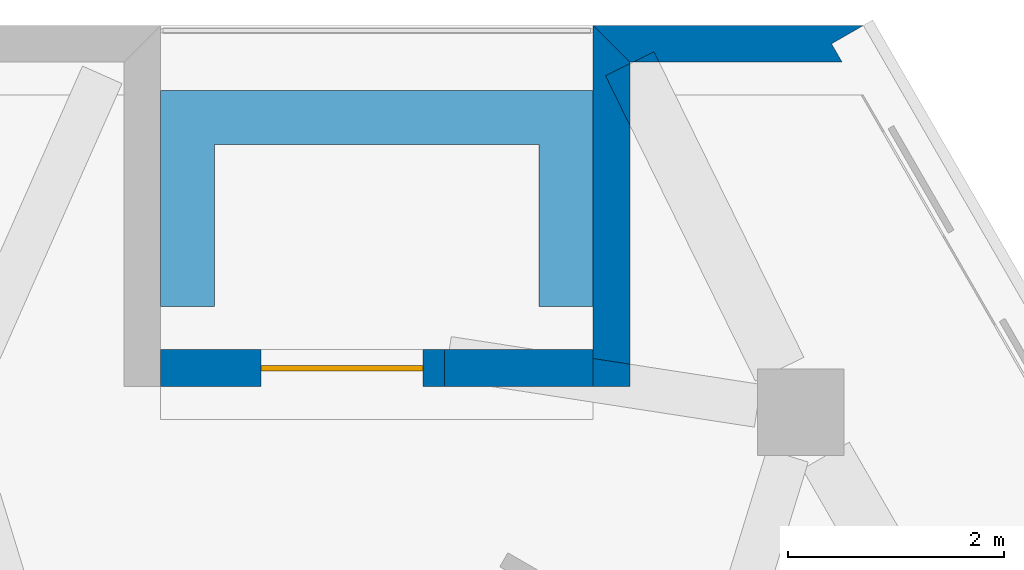
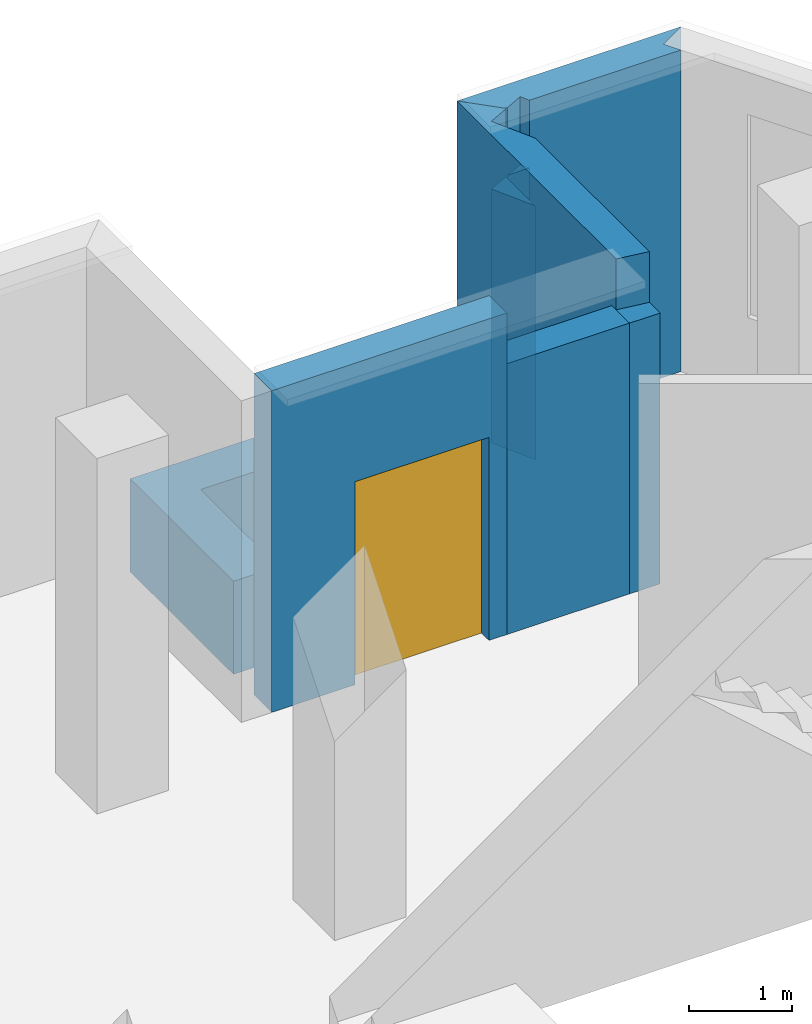
# One storey, part 7 of 9: 8 walls, 1 door, 1 opening.
"""IFC4 building model written with IfcOpenShell, lengths in metres."""

from ifc_helpers import new_model, si_unit, direction, frame, frame_2d, origin, place, context, subcontext, project, spatial, polyline, rectangle, outline, extrude, material, layer, layer_set, type_object, element, fill, save


model = new_model("IFC4")

# Units and contexts
model_context = context("Model", 3, precision=1e-05, world=origin(), true_north=direction((0.0, 1.0)))
body_context = subcontext(model_context, "Body", "Model", "MODEL_VIEW")
ifc_project = project(units=[si_unit("LENGTHUNIT", "METRE"), si_unit("AREAUNIT", "SQUARE_METRE"), si_unit("VOLUMEUNIT", "CUBIC_METRE"), si_unit("PLANEANGLEUNIT", "RADIAN"), si_unit("MASSUNIT", "GRAM", prefix="KILO")], contexts=[model_context])

# Site, building, storey
site_placement = place(None, origin())
site = spatial("IfcSite", under=ifc_project, at=site_placement, CompositionType="ELEMENT")
building_placement = place(site_placement, origin())
building = spatial("IfcBuilding", under=site, at=building_placement, Name="Fogline Exchange Tower", CompositionType="ELEMENT")
storey_placement = place(building_placement, frame((0.0, 0.0, 287.699951171875)))
storey = spatial("IfcBuildingStorey", under=building, at=storey_placement, Name="L65", CompositionType="ELEMENT", Elevation=287.699951171875)

# Walls
ifc_material_1 = material(Name="Brick masonry", Category="masonry")
ifc_layer_1 = layer(ifc_material_1, 0.340087890625)
ifc_layer_set_1 = layer_set([ifc_layer_1], Name="FW1")
wall_type_1 = type_object("IfcWallType", Name="FW1", PredefinedType="SOLIDWALL", material=ifc_layer_set_1)
wall_1_placement = place(storey_placement, origin())
element("IfcWall", 1, at=wall_1_placement, inside=storey, type_object=wall_type_1, Name="Brick wall L65 N-c1", PredefinedType="SOLIDWALL", context=body_context, shape_type="SweptSolid", body=[
    extrude(outline(polyline([(2.368408203125, 43.696044921875), (2.564453125, 43.792236328125), (2.611572265625, 43.696044921875), (2.368408203125, 43.696044921875)])), origin(), (0.0, 0.0, 1.0), 3.0),
])
wall_2_placement = place(storey_placement, origin())
element("IfcWall", 2, at=wall_2_placement, inside=storey, type_object=wall_type_1, Name="Brick wall L65 N-c1", PredefinedType="SOLIDWALL", context=body_context, shape_type="SweptSolid", body=[
    extrude(outline(polyline([(4.5009765625, 44.037353515625), (4.501220703125, 44.03662109375), (4.206298828125, 43.866455078125), (4.3046875, 43.696044921875), (2.611572265625, 43.696044921875), (2.564453125, 43.792236328125), (2.368408203125, 43.696044921875), (2.33984375, 43.696044921875), (1.998779296875, 44.036865234375), (1.9990234375, 44.037353515625), (4.5009765625, 44.037353515625)])), origin(), (0.0, 0.0, 1.0), 3.800048828125),
])
wall_3_placement = place(storey_placement, origin())
element("IfcWall", 3, at=wall_3_placement, inside=storey, type_object=wall_type_1, Name="Brick wall L65 N-s1", PredefinedType="SOLIDWALL", context=body_context, shape_type="SweptSolid", body=[
    extrude(outline(polyline([(2.340576171875, 43.11328125), (2.115478515625, 43.572021484375), (2.340576171875, 43.682373046875), (2.340576171875, 43.11328125)])), origin(), (0.0, 0.0, 1.0), 3.0),
])
wall_4_placement = place(storey_placement, origin())
element("IfcWall", 4, at=wall_4_placement, inside=storey, type_object=wall_type_1, Name="Brick wall L65 N-s1", PredefinedType="SOLIDWALL", context=body_context, shape_type="SweptSolid", body=[
    extrude(outline(polyline([(1.99951171875, 40.955810546875), (2.340576171875, 40.9033203125), (2.340576171875, 40.696044921875), (1.99951171875, 40.696044921875), (1.99951171875, 40.955810546875)])), origin(), (0.0, 0.0, 1.0), 3.199951171875),
])
wall_5_placement = place(storey_placement, origin())
element("IfcWall", 5, at=wall_5_placement, inside=storey, type_object=wall_type_1, Name="Brick wall L65 N-s1", PredefinedType="SOLIDWALL", context=body_context, shape_type="SweptSolid", body=[
    extrude(outline(polyline([(1.99951171875, 44.03759765625), (1.999755859375, 44.037841796875), (2.340576171875, 43.697021484375), (2.340576171875, 43.682373046875), (2.115478515625, 43.572021484375), (2.340576171875, 43.11328125), (2.340576171875, 40.9033203125), (1.99951171875, 40.955810546875), (1.99951171875, 44.03759765625)])), origin(), (0.0, 0.0, 1.0), 3.800048828125),
])
wall_6_placement = place(storey_placement, frame((2.0, 40.86669921875, 0.0), z_axis=(0.0, 0.0, 1.0), x_axis=(-1.0, 0.0, 0.0)))
element("IfcWall", 6, at=wall_6_placement, inside=storey, type_object=wall_type_1, Name="Brick wall L65 N-bk", PredefinedType="SOLIDWALL", context=body_context, shape_type="SweptSolid", body=[
    extrude(rectangle(XDim=1.371826171875, YDim=0.340087890625, at=frame_2d((0.68603515625, 0.0))), origin(), (0.0, 0.0, 1.0), 3.199951171875),
])

# Wall, opening, door
wall_7_placement = place(storey_placement, frame((0.628173828125, 40.86669921875, 0.0), z_axis=(0.0, 0.0, 1.0), x_axis=(-1.0, 0.0, 0.0)))
wall_7 = element("IfcWall", 7, at=wall_7_placement, inside=storey, type_object=wall_type_1, Name="Brick wall L65 N-bk", PredefinedType="SOLIDWALL", context=body_context, shape_type="SweptSolid", body=[
    extrude(rectangle(XDim=2.628173828125, YDim=0.340087890625, at=frame_2d((1.31396484375, 0.0))), origin(), (0.0, 0.0, 1.0), 3.800048828125),
])
opening_placement = place(wall_7_placement, frame((0.199951171875, 0.0, 0.0)))
opening = element("IfcOpeningElement", 8, at=opening_placement, cuts=wall_7, Name="Opening T20-E141", PredefinedType="OPENING", context=body_context, shape_type="SweptSolid", body=[
    extrude(rectangle(XDim=1.5, YDim=2.39990234375, at=frame_2d((0.75, 1.199951171875))), frame((0.0, 0.18017578125, 0.0), z_axis=(0.0, -1.0, 0.0), x_axis=(1.0, 0.0, 0.0)), (0.0, 0.0, 1.0), 0.360107421875),
])
ifc_material_2 = material(Name="Aluminium and glass", Category="aluminium")
door_type = type_object("IfcDoorType", Name="ED4", OperationType="SINGLE_SWING_LEFT", PredefinedType="DOOR", material=ifc_material_2)
door_placement = place(opening_placement, frame((1.5, 0.0, 0.0), z_axis=(0.0, 0.0, 1.0), x_axis=(-1.0, 0.0, 0.0)))
door = element("IfcDoor", 9, at=door_placement, inside=storey, type_object=door_type, Name="Balcony door L65 N", OperationType="DOUBLE_DOOR_SINGLE_SWING", OverallHeight=2.39990234375, OverallWidth=1.5, PredefinedType="DOOR", context=body_context, shape_type="SweptSolid", body=[
    extrude(rectangle(XDim=1.5, YDim=2.39990234375, at=frame_2d((0.75, 1.199951171875))), frame((0.0, 0.02490234375, 0.0), z_axis=(0.0, -1.0, 0.0), x_axis=(1.0, 0.0, 0.0)), (0.0, 0.0, 1.0), 0.050048828125),
])
fill(opening, door)

# Wall
ifc_material_3 = material(Name="Concrete C30", Category="concrete")
ifc_layer_2 = layer(ifc_material_3, 0.199951171875)
ifc_layer_set_2 = layer_set([ifc_layer_2], Name="PL1")
wall_type_2 = type_object("IfcWallType", Name="PL1", PredefinedType="USERDEFINED", material=ifc_layer_set_2)
wall_8_placement = place(storey_placement, origin())
element("IfcWall", 10, at=wall_8_placement, inside=storey, type_object=wall_type_2, Name="PLANTER balcony L65 N", ObjectType="PLANTER", PredefinedType="USERDEFINED", context=body_context, shape_type="SweptSolid", body=[
    extrude(outline(polyline([(-1.5, 43.436767578125), (-2.0, 43.436767578125), (-2.0, 42.936767578125), (-2.0, 41.436767578125), (-1.5, 41.436767578125), (-1.5, 42.936767578125), (1.5, 42.936767578125), (1.5, 41.436767578125), (2.0, 41.436767578125), (2.0, 42.936767578125), (2.0, 43.436767578125), (1.5, 43.436767578125), (-1.5, 43.436767578125)])), origin(), (0.0, 0.0, 1.0), 1.10009765625),
])

save(model, "model.ifc")
